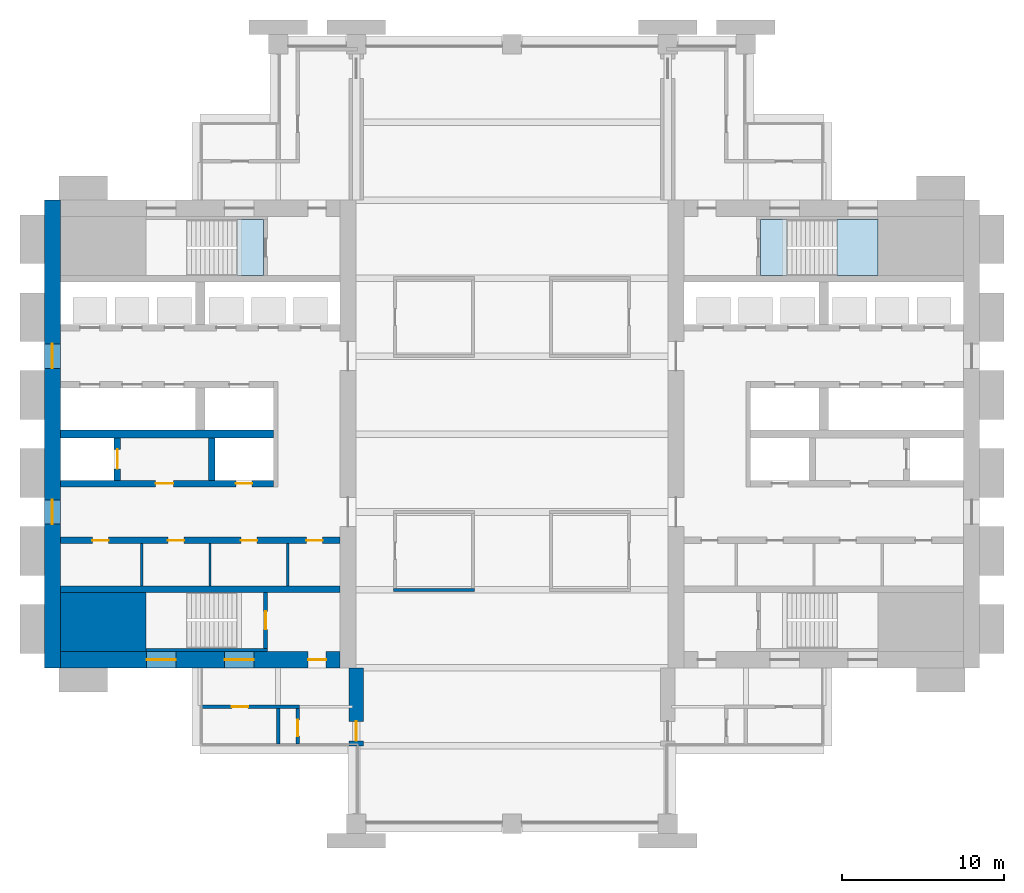
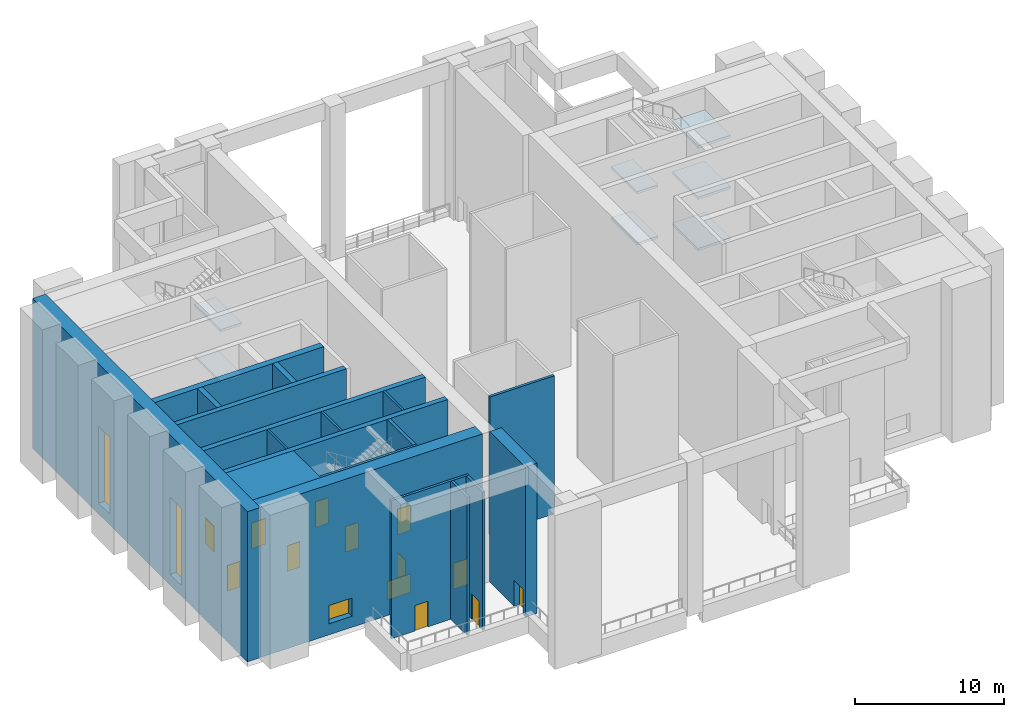
# One storey, part 2 of 9: 19 walls, 12 doors, 7 slabs, 4 windows, 16 openings, 2 elements without a shape of their own.
"""IFC4 building model written with IfcOpenShell, lengths in metres."""

from ifc_helpers import new_model, si_unit, direction, frame, frame_2d, origin, place, context, subcontext, project, spatial, polyline, rectangle, outline, extrude, material, layer, layer_set, type_object, element, fill, aggregate, save


model = new_model("IFC4")

# Units and contexts
model_context = context("Model", 3, precision=1e-05, world=origin(), true_north=direction((0.0, 1.0)))
body_context = subcontext(model_context, "Body", "Model", "MODEL_VIEW")
ifc_project = project(units=[si_unit("LENGTHUNIT", "METRE"), si_unit("AREAUNIT", "SQUARE_METRE"), si_unit("VOLUMEUNIT", "CUBIC_METRE"), si_unit("PLANEANGLEUNIT", "RADIAN"), si_unit("MASSUNIT", "GRAM", prefix="KILO")], contexts=[model_context])

# Site, building, storey
site_placement = place(None, origin())
site = spatial("IfcSite", under=ifc_project, at=site_placement, CompositionType="ELEMENT")
building_placement = place(site_placement, origin())
building = spatial("IfcBuilding", under=site, at=building_placement, Name="Baori Bourse Tower", CompositionType="ELEMENT")
storey_placement = place(building_placement, frame((0.0, 0.0, 180.60009765625)))
storey = spatial("IfcBuildingStorey", under=building, at=storey_placement, Name="L40", CompositionType="ELEMENT", Elevation=180.60009765625)

# Stair, slabs
ifc_material_1 = material(Name="Concrete f'c 50 MPa", Category="concrete")
stair_type = type_object("IfcStairType", Name="Core stair", PredefinedType="HALF_TURN_STAIR", material=ifc_material_1)
stair_1_placement = place(storey_placement, origin())
stair_1 = element("IfcStair", 1, at=stair_1_placement, inside=storey, type_object=stair_type, Name="L40 Stair WB", PredefinedType="HALF_TURN_STAIR")
ifc_material_2 = material(Name="Concrete f'c 50 MPa", Category="concrete")
slab_type = type_object("IfcSlabType", Name="Core stair landing", PredefinedType="LANDING", material=ifc_material_2)
slab_1_placement = place(storey_placement, frame((0.0, 0.0, 4.0)))
slab_1 = element("IfcSlab", 2, at=slab_1_placement, type_object=slab_type, Name="ST2 landing 2", PredefinedType="LANDING", context=body_context, shape_type="SweptSolid", body=[
    extrude(outline(polyline([(13.5, 37.199951171875), (11.85009765625, 37.199951171875), (11.85009765625, 33.75), (13.5, 33.75), (13.5, 37.199951171875)])), origin(), (0.0, 0.0, 1.0), 0.199951171875),
])
slab_2_placement = place(storey_placement, frame((0.0, 0.0, 8.199951171875)))
slab_2 = element("IfcSlab", 3, at=slab_2_placement, type_object=slab_type, Name="ST2 landing 4", PredefinedType="LANDING", context=body_context, shape_type="SweptSolid", body=[
    extrude(outline(polyline([(13.5, 37.199951171875), (11.85009765625, 37.199951171875), (11.85009765625, 33.75), (13.5, 33.75), (13.5, 37.199951171875)])), origin(), (0.0, 0.0, 1.0), 0.199951171875),
])
aggregate(stair_1, [slab_1, slab_2])

stair_2_placement = place(storey_placement, origin())
stair_2 = element("IfcStair", 4, at=stair_2_placement, inside=storey, type_object=stair_type, Name="L40 Stair EB", PredefinedType="HALF_TURN_STAIR")
slab_3_placement = place(storey_placement, frame((0.0, 0.0, 1.89990234375)))
slab_3 = element("IfcSlab", 5, at=slab_3_placement, type_object=slab_type, Name="ST4 landing 1", PredefinedType="LANDING", context=body_context, shape_type="SweptSolid", body=[
    extrude(outline(polyline([(48.830078125, 33.75), (51.35009765625, 33.75), (51.35009765625, 37.199951171875), (48.830078125, 37.199951171875), (48.830078125, 33.75)])), origin(), (0.0, 0.0, 1.0), 0.199951171875),
])
slab_4_placement = place(storey_placement, frame((0.0, 0.0, 4.0)))
slab_4 = element("IfcSlab", 6, at=slab_4_placement, type_object=slab_type, Name="ST4 landing 2", PredefinedType="LANDING", context=body_context, shape_type="SweptSolid", body=[
    extrude(outline(polyline([(44.10009765625, 33.75), (45.75, 33.75), (45.75, 37.199951171875), (44.10009765625, 37.199951171875), (44.10009765625, 33.75)])), origin(), (0.0, 0.0, 1.0), 0.199951171875),
])
slab_5_placement = place(storey_placement, frame((0.0, 0.0, 6.099853515625)))
slab_5 = element("IfcSlab", 7, at=slab_5_placement, type_object=slab_type, Name="ST4 landing 3", PredefinedType="LANDING", context=body_context, shape_type="SweptSolid", body=[
    extrude(outline(polyline([(48.830078125, 33.75), (51.35009765625, 33.75), (51.35009765625, 37.199951171875), (48.830078125, 37.199951171875), (48.830078125, 33.75)])), origin(), (0.0, 0.0, 1.0), 0.199951171875),
])
slab_6_placement = place(storey_placement, frame((0.0, 0.0, 8.199951171875)))
slab_6 = element("IfcSlab", 8, at=slab_6_placement, type_object=slab_type, Name="ST4 landing 4", PredefinedType="LANDING", context=body_context, shape_type="SweptSolid", body=[
    extrude(outline(polyline([(44.10009765625, 33.75), (45.75, 33.75), (45.75, 37.199951171875), (44.10009765625, 37.199951171875), (44.10009765625, 33.75)])), origin(), (0.0, 0.0, 1.0), 0.199951171875),
])
slab_7_placement = place(storey_placement, frame((0.0, 0.0, 10.2998046875)))
slab_7 = element("IfcSlab", 9, at=slab_7_placement, type_object=slab_type, Name="ST4 landing 5", PredefinedType="LANDING", context=body_context, shape_type="SweptSolid", body=[
    extrude(outline(polyline([(48.830078125, 33.75), (51.35009765625, 33.75), (51.35009765625, 37.199951171875), (48.830078125, 37.199951171875), (48.830078125, 33.75)])), origin(), (0.0, 0.0, 1.0), 0.2001953125),
])
aggregate(stair_2, [slab_3, slab_4, slab_5, slab_6, slab_7])

# Walls
ifc_material_3 = material(Name="Concrete f'c 60 MPa", Category="concrete")
wall_type_1 = type_object("IfcWallType", Name="Core corner block f'c 60", PredefinedType="SHEAR", material=ifc_material_3)
wall_1_placement = place(storey_placement, frame((1.0, 12.425048828125, 0.0), z_axis=(0.0, 0.0, 1.0), x_axis=(1.0, 0.0, 0.0)))
element("IfcWall", 10, at=wall_1_placement, inside=storey, type_object=wall_type_1, Name="Core wall W04", PredefinedType="SHEAR", context=body_context, shape_type="SweptSolid", body=[
    extrude(rectangle(XDim=5.25, YDim=3.64990234375, at=frame_2d((2.625, 0.0))), origin(), (0.0, 0.0, 1.0), 12.2998046875),
])
ifc_material_4 = material(Name="Blockwork partition", Category="masonry")
ifc_layer_1 = layer(ifc_material_4, 0.14990234375)
ifc_layer_set_1 = layer_set([ifc_layer_1], Name="Core partition 150")
wall_type_2 = type_object("IfcWallType", Name="Core partition 150", PredefinedType="PARTITIONING", material=ifc_layer_set_1)
for number, where, z_axis, x_axis, name in (
    (11, (6.0, 14.64990234375, 0.0), (0.0, 0.0, 1.0), (0.0, 1.0, 0.0), "Partition wall W08"),
    (12, (10.199951171875, 14.64990234375, 0.0), (0.0, 0.0, 1.0), (0.0, 1.0, 0.0), "Partition wall W09"),
    (13, (15.0, 14.64990234375, 0.0), (0.0, 0.0, 1.0), (0.0, 1.0, 0.0), "Partition wall W10"),
):
    element("IfcWall", number, at=place(storey_placement, frame(where, z_axis=z_axis, x_axis=x_axis)), inside=storey, type_object=wall_type_2, Name=name, PredefinedType="PARTITIONING", context=body_context, shape_type="SweptSolid", body=[
        extrude(rectangle(XDim=2.60009765625, YDim=0.14990234375, at=frame_2d((1.300048828125, 0.0))), origin(), (0.0, 0.0, 1.0), 12.2998046875),
    ])

# Wall, openings, windows
ifc_material_5 = material(Name="Concrete f'c 60 MPa", Category="concrete")
ifc_layer_2 = layer(ifc_material_5, 1.0)
ifc_layer_set_2 = layer_set([ifc_layer_2], Name="Core wall 1000 f'c 60")
wall_type_3 = type_object("IfcWallType", Name="Core wall 1000 f'c 60", PredefinedType="SHEAR", material=ifc_layer_set_2)
wall_2_placement = place(storey_placement, frame((0.5, 9.60009765625, 0.0), z_axis=(0.0, 0.0, 1.0), x_axis=(0.0, 1.0, 0.0)))
wall_2 = element("IfcWall", 14, at=wall_2_placement, inside=storey, type_object=wall_type_3, Name="Core wall W01", PredefinedType="SHEAR", context=body_context, shape_type="SweptSolid", body=[
    extrude(rectangle(XDim=28.7998046875, YDim=1.0, at=frame_2d((14.39990234375, 0.0))), origin(), (0.0, 0.0, 1.0), 12.2998046875),
])
opening_1_placement = place(wall_2_placement, frame((8.85009765625, 0.0, 0.89990234375)))
opening_1 = element("IfcOpeningElement", 15, at=opening_1_placement, cuts=wall_2, Name="Opening L40-KW101", PredefinedType="OPENING", context=body_context, shape_type="SweptSolid", body=[
    extrude(rectangle(XDim=1.5, YDim=6.300048828125, at=frame_2d((0.75, 3.14990234375))), frame((0.0, 0.510009765625, 0.0), z_axis=(0.0, -1.0, 0.0), x_axis=(1.0, 0.0, 0.0)), (0.0, 0.0, 1.0), 1.02001953125),
])
opening_2_placement = place(wall_2_placement, frame((18.449951171875, 0.0, 0.89990234375)))
opening_2 = element("IfcOpeningElement", 16, at=opening_2_placement, cuts=wall_2, Name="Opening L40-KW102", PredefinedType="OPENING", context=body_context, shape_type="SweptSolid", body=[
    extrude(rectangle(XDim=1.5, YDim=6.300048828125, at=frame_2d((0.75, 3.14990234375))), frame((0.0, 0.510009765625, 0.0), z_axis=(0.0, -1.0, 0.0), x_axis=(1.0, 0.0, 0.0)), (0.0, 0.0, 1.0), 1.02001953125),
])
ifc_material_6 = material(Name="Pale anodised aluminium", Category="aluminium")
window_type_1 = type_object("IfcWindowType", Name="Lobby window 1500 x 6300", PartitioningType="SINGLE_PANEL", PredefinedType="WINDOW", material=ifc_material_6)
window_1_placement = place(opening_1_placement, origin())
window_1 = element("IfcWindow", 17, at=window_1_placement, inside=storey, type_object=window_type_1, Name="Outer wall window W L40 1", OverallHeight=6.300048828125, OverallWidth=1.5, PartitioningType="SINGLE_PANEL", PredefinedType="WINDOW", context=body_context, shape_type="SweptSolid", body=[
    extrude(rectangle(XDim=1.5, YDim=6.300048828125, at=frame_2d((0.75, 3.14990234375))), frame((0.0, 0.030029296875, 0.0), z_axis=(0.0, -1.0, 0.0), x_axis=(1.0, 0.0, 0.0)), (0.0, 0.0, 1.0), 0.06005859375),
])
fill(opening_1, window_1)
window_2_placement = place(opening_2_placement, origin())
window_2 = element("IfcWindow", 18, at=window_2_placement, inside=storey, type_object=window_type_1, Name="Outer wall window W L40 2", OverallHeight=6.300048828125, OverallWidth=1.5, PartitioningType="SINGLE_PANEL", PredefinedType="WINDOW", context=body_context, shape_type="SweptSolid", body=[
    extrude(rectangle(XDim=1.5, YDim=6.300048828125, at=frame_2d((0.75, 3.14990234375))), frame((0.0, 0.030029296875, 0.0), z_axis=(0.0, -1.0, 0.0), x_axis=(1.0, 0.0, 0.0)), (0.0, 0.0, 1.0), 0.06005859375),
])
fill(opening_2, window_2)

# Wall, openings, door, windows
wall_3_placement = place(storey_placement, frame((18.199951171875, 10.10009765625, 0.0), z_axis=(0.0, 0.0, 1.0), x_axis=(-1.0, 0.0, 0.0)))
wall_3 = element("IfcWall", 19, at=wall_3_placement, inside=storey, type_object=wall_type_3, Name="Core wall W02", PredefinedType="SHEAR", context=body_context, shape_type="SweptSolid", body=[
    extrude(rectangle(XDim=17.199951171875, YDim=1.0, at=frame_2d((8.60009765625, 0.0))), origin(), (0.0, 0.0, 1.0), 12.2998046875),
])
opening_3_placement = place(wall_3_placement, frame((0.85009765625, 0.0, 0.0)))
opening_3 = element("IfcOpeningElement", 20, at=opening_3_placement, cuts=wall_3, Name="Opening L40-D102", PredefinedType="OPENING", context=body_context, shape_type="SweptSolid", body=[
    extrude(rectangle(XDim=1.10009765625, YDim=2.10009765625, at=frame_2d((0.550048828125, 1.050048828125))), frame((0.0, 0.510009765625, 0.0), z_axis=(0.0, -1.0, 0.0), x_axis=(1.0, 0.0, 0.0)), (0.0, 0.0, 1.0), 1.02001953125),
])
opening_4_placement = place(wall_3_placement, frame((10.10009765625, 0.0, 0.89990234375)))
opening_4 = element("IfcOpeningElement", 21, at=opening_4_placement, cuts=wall_3, Name="Opening L40-KW103", PredefinedType="OPENING", context=body_context, shape_type="SweptSolid", body=[
    extrude(rectangle(XDim=1.800048828125, YDim=1.5, at=frame_2d((0.89990234375, 0.75))), frame((0.0, 0.510009765625, 0.0), z_axis=(0.0, -1.0, 0.0), x_axis=(1.0, 0.0, 0.0)), (0.0, 0.0, 1.0), 1.02001953125),
])
opening_5_placement = place(wall_3_placement, frame((5.300048828125, 0.0, 0.89990234375)))
opening_5 = element("IfcOpeningElement", 22, at=opening_5_placement, cuts=wall_3, Name="Opening L40-KW104", PredefinedType="OPENING", context=body_context, shape_type="SweptSolid", body=[
    extrude(rectangle(XDim=1.800048828125, YDim=1.5, at=frame_2d((0.89990234375, 0.75))), frame((0.0, 0.510009765625, 0.0), z_axis=(0.0, -1.0, 0.0), x_axis=(1.0, 0.0, 0.0)), (0.0, 0.0, 1.0), 1.02001953125),
])
ifc_material_7 = material(Name="Painted steel door", Category="steel")
door_type_1 = type_object("IfcDoorType", Name="Stair door 1100", OperationType="SINGLE_SWING_LEFT", PredefinedType="DOOR", material=ifc_material_7)
door_1_placement = place(opening_3_placement, origin())
door_1 = element("IfcDoor", 23, at=door_1_placement, inside=storey, type_object=door_type_1, Name="Stair vestibule door A W L40", OperationType="SINGLE_SWING_LEFT", OverallHeight=2.10009765625, OverallWidth=1.10009765625, PredefinedType="DOOR", context=body_context, shape_type="SweptSolid", body=[
    extrude(rectangle(XDim=1.10009765625, YDim=2.10009765625, at=frame_2d((0.550048828125, 1.050048828125))), frame((0.0, 0.02490234375, 0.0), z_axis=(0.0, -1.0, 0.0), x_axis=(1.0, 0.0, 0.0)), (0.0, 0.0, 1.0), 0.050048828125),
])
fill(opening_3, door_1)
ifc_material_8 = material(Name="Pale anodised aluminium", Category="aluminium")
window_type_2 = type_object("IfcWindowType", Name="Stair window 1800 x 1500", PartitioningType="SINGLE_PANEL", PredefinedType="WINDOW", material=ifc_material_8)
window_3_placement = place(opening_4_placement, origin())
window_3 = element("IfcWindow", 24, at=window_3_placement, inside=storey, type_object=window_type_2, Name="Stair window W L40 3", OverallHeight=1.5, OverallWidth=1.800048828125, PartitioningType="SINGLE_PANEL", PredefinedType="WINDOW", context=body_context, shape_type="SweptSolid", body=[
    extrude(rectangle(XDim=1.800048828125, YDim=1.5, at=frame_2d((0.89990234375, 0.75))), frame((0.0, 0.030029296875, 0.0), z_axis=(0.0, -1.0, 0.0), x_axis=(1.0, 0.0, 0.0)), (0.0, 0.0, 1.0), 0.06005859375),
])
fill(opening_4, window_3)
window_4_placement = place(opening_5_placement, origin())
window_4 = element("IfcWindow", 25, at=window_4_placement, inside=storey, type_object=window_type_2, Name="Stair window W L40 4", OverallHeight=1.5, OverallWidth=1.800048828125, PartitioningType="SINGLE_PANEL", PredefinedType="WINDOW", context=body_context, shape_type="SweptSolid", body=[
    extrude(rectangle(XDim=1.800048828125, YDim=1.5, at=frame_2d((0.89990234375, 0.75))), frame((0.0, 0.030029296875, 0.0), z_axis=(0.0, -1.0, 0.0), x_axis=(1.0, 0.0, 0.0)), (0.0, 0.0, 1.0), 0.06005859375),
])
fill(opening_5, window_4)

# Wall, opening, door
ifc_material_9 = material(Name="Concrete f'c 60 MPa", Category="concrete")
ifc_layer_3 = layer(ifc_material_9, 0.89990234375)
ifc_layer_set_3 = layer_set([ifc_layer_3], Name="Outrigger wall 900 60")
wall_type_4 = type_object("IfcWallType", Name="Outrigger wall 900 60", PredefinedType="SHEAR", material=ifc_layer_set_3)
wall_4_placement = place(storey_placement, frame((19.199951171875, 4.800048828125, 0.0), z_axis=(0.0, 0.0, 1.0), x_axis=(0.0, 1.0, 0.0)))
wall_4 = element("IfcWall", 26, at=wall_4_placement, inside=storey, type_object=wall_type_4, Name="Outrigger wall L40", PredefinedType="SHEAR", context=body_context, shape_type="SweptSolid", body=[
    extrude(rectangle(XDim=4.800048828125, YDim=0.89990234375, at=frame_2d((2.39990234375, 0.0))), origin(), (0.0, 0.0, 1.0), 12.2998046875),
])
opening_6_placement = place(wall_4_placement, frame((0.300048828125, 0.0, 0.0)))
opening_6 = element("IfcOpeningElement", 27, at=opening_6_placement, cuts=wall_4, Name="Opening L40-D13", PredefinedType="OPENING", context=body_context, shape_type="SweptSolid", body=[
    extrude(rectangle(XDim=1.199951171875, YDim=2.10009765625, at=frame_2d((0.60009765625, 1.050048828125))), frame((0.0, 0.4599609375, 0.0), z_axis=(0.0, -1.0, 0.0), x_axis=(1.0, 0.0, 0.0)), (0.0, 0.0, 1.0), 0.919921875),
])
ifc_material_10 = material(Name="Timber door leaf", Category="wood")
door_type_2 = type_object("IfcDoorType", Name="Door 1200 x 2100", OperationType="SINGLE_SWING_LEFT", PredefinedType="DOOR", material=ifc_material_10)
door_2_placement = place(opening_6_placement, origin())
door_2 = element("IfcDoor", 28, at=door_2_placement, inside=storey, type_object=door_type_2, Name="Door", OperationType="SINGLE_SWING_LEFT", OverallHeight=2.10009765625, OverallWidth=1.199951171875, PredefinedType="DOOR", context=body_context, shape_type="SweptSolid", body=[
    extrude(rectangle(XDim=1.199951171875, YDim=2.10009765625, at=frame_2d((0.60009765625, 1.050048828125))), frame((0.0, 0.02490234375, 0.0), z_axis=(0.0, -1.0, 0.0), x_axis=(1.0, 0.0, 0.0)), (0.0, 0.0, 1.0), 0.050048828125),
])
fill(opening_6, door_2)

ifc_material_11 = material(Name="Gypsum board partition")
ifc_layer_4 = layer(ifc_material_11, 0.199951171875)
ifc_layer_set_4 = layer_set([ifc_layer_4], Name="Plant room wall 200")
wall_type_5 = type_object("IfcWallType", Name="Plant room wall 200", PredefinedType="PARTITIONING", material=ifc_layer_set_4)
wall_5_placement = place(storey_placement, frame((9.699951171875, 7.199951171875, 0.0), z_axis=(0.0, 0.0, 1.0), x_axis=(1.0, 0.0, 0.0)))
wall_5 = element("IfcWall", 29, at=wall_5_placement, inside=storey, type_object=wall_type_5, Name="Partition", PredefinedType="PARTITIONING", context=body_context, shape_type="SweptSolid", body=[
    extrude(rectangle(XDim=6.0, YDim=0.199951171875, at=frame_2d((3.0, 0.0))), origin(), (0.0, 0.0, 1.0), 11.309326171875),
])
opening_7_placement = place(wall_5_placement, frame((1.85009765625, 0.0, 0.0)))
opening_7 = element("IfcOpeningElement", 30, at=opening_7_placement, cuts=wall_5, Name="Opening L40-D01", PredefinedType="OPENING", context=body_context, shape_type="SweptSolid", body=[
    extrude(rectangle(XDim=1.0, YDim=2.10009765625, at=frame_2d((0.5, 1.050048828125))), frame((0.0, 0.10986328125, 0.0), z_axis=(0.0, -1.0, 0.0), x_axis=(1.0, 0.0, 0.0)), (0.0, 0.0, 1.0), 0.219970703125),
])
ifc_material_12 = material(Name="Timber door leaf", Category="wood")
door_type_3 = type_object("IfcDoorType", Name="Door 1000 x 2100", OperationType="SINGLE_SWING_LEFT", PredefinedType="DOOR", material=ifc_material_12)
door_3_placement = place(opening_7_placement, origin())
door_3 = element("IfcDoor", 31, at=door_3_placement, inside=storey, type_object=door_type_3, Name="Door", OperationType="SINGLE_SWING_LEFT", OverallHeight=2.10009765625, OverallWidth=1.0, PredefinedType="DOOR", context=body_context, shape_type="SweptSolid", body=[
    extrude(rectangle(XDim=1.0, YDim=2.10009765625, at=frame_2d((0.5, 1.050048828125))), frame((0.0, 0.02490234375, 0.0), z_axis=(0.0, -1.0, 0.0), x_axis=(1.0, 0.0, 0.0)), (0.0, 0.0, 1.0), 0.050048828125),
])
fill(opening_7, door_3)

# Walls
wall_6_placement = place(storey_placement, frame((21.5, 14.39990234375, 0.0), z_axis=(0.0, 0.0, 1.0), x_axis=(1.0, 0.0, 0.0)))
element("IfcWall", 32, at=wall_6_placement, inside=storey, type_object=wall_type_5, Name="Partition", PredefinedType="PARTITIONING", context=body_context, shape_type="SweptSolid", body=[
    extrude(rectangle(XDim=5.0, YDim=0.199951171875, at=frame_2d((2.5, 0.0))), origin(), (0.0, 0.0, 1.0), 11.309326171875),
])
wall_7_placement = place(storey_placement, frame((14.39990234375, 4.89990234375, 0.0), z_axis=(0.0, 0.0, 1.0), x_axis=(0.0, 1.0, 0.0)))
element("IfcWall", 33, at=wall_7_placement, inside=storey, type_object=wall_type_5, Name="Partition", PredefinedType="PARTITIONING", context=body_context, shape_type="SweptSolid", body=[
    extrude(rectangle(XDim=2.2001953125, YDim=0.199951171875, at=frame_2d((1.10009765625, 0.0))), origin(), (0.0, 0.0, 1.0), 11.309326171875),
])

# Wall, opening, door
wall_8_placement = place(storey_placement, frame((15.60009765625, 4.89990234375, 0.0), z_axis=(0.0, 0.0, 1.0), x_axis=(0.0, 1.0, 0.0)))
wall_8 = element("IfcWall", 34, at=wall_8_placement, inside=storey, type_object=wall_type_5, Name="Partition", PredefinedType="PARTITIONING", context=body_context, shape_type="SweptSolid", body=[
    extrude(rectangle(XDim=2.2001953125, YDim=0.199951171875, at=frame_2d((1.10009765625, 0.0))), origin(), (0.0, 0.0, 1.0), 11.309326171875),
])
opening_8_placement = place(wall_8_placement, frame((0.5, 0.0, 0.0)))
opening_8 = element("IfcOpeningElement", 35, at=opening_8_placement, cuts=wall_8, Name="Opening L40-D05", PredefinedType="OPENING", context=body_context, shape_type="SweptSolid", body=[
    extrude(rectangle(XDim=1.0, YDim=2.10009765625, at=frame_2d((0.5, 1.050048828125))), frame((0.0, 0.10986328125, 0.0), z_axis=(0.0, -1.0, 0.0), x_axis=(1.0, 0.0, 0.0)), (0.0, 0.0, 1.0), 0.219970703125),
])
door_4_placement = place(opening_8_placement, origin())
door_4 = element("IfcDoor", 36, at=door_4_placement, inside=storey, type_object=door_type_3, Name="Door", OperationType="SINGLE_SWING_RIGHT", OverallHeight=2.10009765625, OverallWidth=1.0, PredefinedType="DOOR", context=body_context, shape_type="SweptSolid", body=[
    extrude(rectangle(XDim=1.0, YDim=2.10009765625, at=frame_2d((0.5, 1.050048828125))), frame((0.0, 0.02490234375, 0.0), z_axis=(0.0, -1.0, 0.0), x_axis=(1.0, 0.0, 0.0)), (0.0, 0.0, 1.0), 0.050048828125),
])
fill(opening_8, door_4)

# Wall
ifc_material_13 = material(Name="Concrete f'c 60 MPa", Category="concrete")
ifc_layer_5 = layer(ifc_material_13, 0.199951171875)
ifc_layer_set_5 = layer_set([ifc_layer_5], Name="Shaft wall 200 f'c 60")
wall_type_6 = type_object("IfcWallType", Name="Shaft wall 200 f'c 60", PredefinedType="SHEAR", material=ifc_layer_set_5)
wall_9_placement = place(storey_placement, frame((6.25, 10.699951171875, 0.0), z_axis=(0.0, 0.0, 1.0), x_axis=(1.0, 0.0, 0.0)))
element("IfcWall", 37, at=wall_9_placement, inside=storey, type_object=wall_type_6, Name="Core wall W05", PredefinedType="SHEAR", context=body_context, shape_type="SweptSolid", body=[
    extrude(rectangle(XDim=7.5, YDim=0.199951171875, at=frame_2d((3.75, 0.0))), origin(), (0.0, 0.0, 1.0), 12.2998046875),
])

# Wall, opening, door
ifc_material_14 = material(Name="Concrete f'c 60 MPa", Category="concrete")
ifc_layer_6 = layer(ifc_material_14, 0.25)
ifc_layer_set_6 = layer_set([ifc_layer_6], Name="Shaft wall 250 f'c 60")
wall_type_7 = type_object("IfcWallType", Name="Shaft wall 250 f'c 60", PredefinedType="SHEAR", material=ifc_layer_set_6)
wall_10_placement = place(storey_placement, frame((13.625, 10.800048828125, 0.0), z_axis=(0.0, 0.0, 1.0), x_axis=(0.0, 1.0, 0.0)))
wall_10 = element("IfcWall", 38, at=wall_10_placement, inside=storey, type_object=wall_type_7, Name="Core wall W06", PredefinedType="SHEAR", context=body_context, shape_type="SweptSolid", body=[
    extrude(rectangle(XDim=3.449951171875, YDim=0.25, at=frame_2d((1.72509765625, 0.0))), origin(), (0.0, 0.0, 1.0), 12.2998046875),
])
opening_9_placement = place(wall_10_placement, frame((1.175048828125, 0.0, 0.0)))
opening_9 = element("IfcOpeningElement", 39, at=opening_9_placement, cuts=wall_10, Name="Opening L40-D101", PredefinedType="OPENING", context=body_context, shape_type="SweptSolid", body=[
    extrude(rectangle(XDim=1.10009765625, YDim=2.10009765625, at=frame_2d((0.550048828125, 1.050048828125))), frame((0.0, 0.135009765625, 0.0), z_axis=(0.0, -1.0, 0.0), x_axis=(1.0, 0.0, 0.0)), (0.0, 0.0, 1.0), 0.27001953125),
])
door_5_placement = place(opening_9_placement, origin())
door_5 = element("IfcDoor", 40, at=door_5_placement, inside=storey, type_object=door_type_1, Name="Stair door A W L40", OperationType="SINGLE_SWING_LEFT", OverallHeight=2.10009765625, OverallWidth=1.10009765625, PredefinedType="DOOR", context=body_context, shape_type="SweptSolid", body=[
    extrude(rectangle(XDim=1.10009765625, YDim=2.10009765625, at=frame_2d((0.550048828125, 1.050048828125))), frame((0.0, 0.02490234375, 0.0), z_axis=(0.0, -1.0, 0.0), x_axis=(1.0, 0.0, 0.0)), (0.0, 0.0, 1.0), 0.050048828125),
])
fill(opening_9, door_5)

# Wall
ifc_material_15 = material(Name="Concrete f'c 60 MPa", Category="concrete")
ifc_layer_7 = layer(ifc_material_15, 0.39990234375)
ifc_layer_set_7 = layer_set([ifc_layer_7], Name="Shaft wall 400 f'c 60")
wall_type_8 = type_object("IfcWallType", Name="Shaft wall 400 f'c 60", PredefinedType="SHEAR", material=ifc_layer_set_7)
wall_11_placement = place(storey_placement, frame((1.0, 14.449951171875, 0.0), z_axis=(0.0, 0.0, 1.0), x_axis=(1.0, 0.0, 0.0)))
element("IfcWall", 41, at=wall_11_placement, inside=storey, type_object=wall_type_8, Name="Core wall W07", PredefinedType="SHEAR", context=body_context, shape_type="SweptSolid", body=[
    extrude(rectangle(XDim=17.199951171875, YDim=0.39990234375, at=frame_2d((8.60009765625, 0.0))), origin(), (0.0, 0.0, 1.0), 12.2998046875),
])

# Wall, openings, doors
wall_12_placement = place(storey_placement, frame((1.0, 17.449951171875, 0.0), z_axis=(0.0, 0.0, 1.0), x_axis=(1.0, 0.0, 0.0)))
wall_12 = element("IfcWall", 42, at=wall_12_placement, inside=storey, type_object=wall_type_8, Name="Core wall W11", PredefinedType="SHEAR", context=body_context, shape_type="SweptSolid", body=[
    extrude(rectangle(XDim=17.199951171875, YDim=0.39990234375, at=frame_2d((8.60009765625, 0.0))), origin(), (0.0, 0.0, 1.0), 12.2998046875),
])
opening_10_placement = place(wall_12_placement, frame((1.96240234375, 0.0, 0.0)))
opening_10 = element("IfcOpeningElement", 43, at=opening_10_placement, cuts=wall_12, Name="Opening L40-D109", PredefinedType="OPENING", context=body_context, shape_type="SweptSolid", body=[
    extrude(rectangle(XDim=1.0, YDim=2.10009765625, at=frame_2d((0.5, 1.050048828125))), frame((0.0, 0.2099609375, 0.0), z_axis=(0.0, -1.0, 0.0), x_axis=(1.0, 0.0, 0.0)), (0.0, 0.0, 1.0), 0.419921875),
])
opening_11_placement = place(wall_12_placement, frame((6.60009765625, 0.0, 0.0)))
opening_11 = element("IfcOpeningElement", 44, at=opening_11_placement, cuts=wall_12, Name="Opening L40-D110", PredefinedType="OPENING", context=body_context, shape_type="SweptSolid", body=[
    extrude(rectangle(XDim=1.0, YDim=2.10009765625, at=frame_2d((0.5, 1.050048828125))), frame((0.0, 0.2099609375, 0.0), z_axis=(0.0, -1.0, 0.0), x_axis=(1.0, 0.0, 0.0)), (0.0, 0.0, 1.0), 0.419921875),
])
opening_12_placement = place(wall_12_placement, frame((11.10009765625, 0.0, 0.0)))
opening_12 = element("IfcOpeningElement", 45, at=opening_12_placement, cuts=wall_12, Name="Opening L40-D111", PredefinedType="OPENING", context=body_context, shape_type="SweptSolid", body=[
    extrude(rectangle(XDim=1.0, YDim=2.10009765625, at=frame_2d((0.5, 1.050048828125))), frame((0.0, 0.2099609375, 0.0), z_axis=(0.0, -1.0, 0.0), x_axis=(1.0, 0.0, 0.0)), (0.0, 0.0, 1.0), 0.419921875),
])
opening_13_placement = place(wall_12_placement, frame((15.137451171875, 0.0, 0.0)))
opening_13 = element("IfcOpeningElement", 46, at=opening_13_placement, cuts=wall_12, Name="Opening L40-D112", PredefinedType="OPENING", context=body_context, shape_type="SweptSolid", body=[
    extrude(rectangle(XDim=1.0, YDim=2.10009765625, at=frame_2d((0.5, 1.050048828125))), frame((0.0, 0.2099609375, 0.0), z_axis=(0.0, -1.0, 0.0), x_axis=(1.0, 0.0, 0.0)), (0.0, 0.0, 1.0), 0.419921875),
])
ifc_material_16 = material(Name="Painted steel door", Category="steel")
door_type_4 = type_object("IfcDoorType", Name="Core door 1000", OperationType="SINGLE_SWING_LEFT", PredefinedType="DOOR", material=ifc_material_16)
door_6_placement = place(opening_10_placement, origin())
door_6 = element("IfcDoor", 47, at=door_6_placement, inside=storey, type_object=door_type_4, Name="Men'S Wc door W L40", OperationType="SINGLE_SWING_LEFT", OverallHeight=2.10009765625, OverallWidth=1.0, PredefinedType="DOOR", context=body_context, shape_type="SweptSolid", body=[
    extrude(rectangle(XDim=1.0, YDim=2.10009765625, at=frame_2d((0.5, 1.050048828125))), frame((0.0, 0.02490234375, 0.0), z_axis=(0.0, -1.0, 0.0), x_axis=(1.0, 0.0, 0.0)), (0.0, 0.0, 1.0), 0.050048828125),
])
fill(opening_10, door_6)
door_7_placement = place(opening_11_placement, origin())
door_7 = element("IfcDoor", 48, at=door_7_placement, inside=storey, type_object=door_type_4, Name="Accessible Wc door W L40", OperationType="SINGLE_SWING_LEFT", OverallHeight=2.10009765625, OverallWidth=1.0, PredefinedType="DOOR", context=body_context, shape_type="SweptSolid", body=[
    extrude(rectangle(XDim=1.0, YDim=2.10009765625, at=frame_2d((0.5, 1.050048828125))), frame((0.0, 0.02490234375, 0.0), z_axis=(0.0, -1.0, 0.0), x_axis=(1.0, 0.0, 0.0)), (0.0, 0.0, 1.0), 0.050048828125),
])
fill(opening_11, door_7)
door_8_placement = place(opening_12_placement, origin())
door_8 = element("IfcDoor", 49, at=door_8_placement, inside=storey, type_object=door_type_4, Name="Women'S Wc door W L40", OperationType="SINGLE_SWING_LEFT", OverallHeight=2.10009765625, OverallWidth=1.0, PredefinedType="DOOR", context=body_context, shape_type="SweptSolid", body=[
    extrude(rectangle(XDim=1.0, YDim=2.10009765625, at=frame_2d((0.5, 1.050048828125))), frame((0.0, 0.02490234375, 0.0), z_axis=(0.0, -1.0, 0.0), x_axis=(1.0, 0.0, 0.0)), (0.0, 0.0, 1.0), 0.050048828125),
])
fill(opening_12, door_8)
ifc_material_17 = material(Name="Painted steel door", Category="steel")
door_type_5 = type_object("IfcDoorType", Name="Plant room door 1000", OperationType="SINGLE_SWING_LEFT", PredefinedType="DOOR", material=ifc_material_17)
door_9_placement = place(opening_13_placement, origin())
door_9 = element("IfcDoor", 50, at=door_9_placement, inside=storey, type_object=door_type_5, Name="Plumbing Equipment Room door W L40", OperationType="SINGLE_SWING_LEFT", OverallHeight=2.10009765625, OverallWidth=1.0, PredefinedType="DOOR", context=body_context, shape_type="SweptSolid", body=[
    extrude(rectangle(XDim=1.0, YDim=2.10009765625, at=frame_2d((0.5, 1.050048828125))), frame((0.0, 0.02490234375, 0.0), z_axis=(0.0, -1.0, 0.0), x_axis=(1.0, 0.0, 0.0)), (0.0, 0.0, 1.0), 0.050048828125),
])
fill(opening_13, door_9)

wall_13_placement = place(storey_placement, frame((1.0, 20.949951171875, 0.0), z_axis=(0.0, 0.0, 1.0), x_axis=(1.0, 0.0, 0.0)))
wall_13 = element("IfcWall", 51, at=wall_13_placement, inside=storey, type_object=wall_type_8, Name="Core wall W12", PredefinedType="SHEAR", context=body_context, shape_type="SweptSolid", body=[
    extrude(rectangle(XDim=13.10009765625, YDim=0.39990234375, at=frame_2d((6.550048828125, 0.0))), origin(), (0.0, 0.0, 1.0), 12.2998046875),
])
opening_14_placement = place(wall_13_placement, frame((5.85009765625, 0.0, 0.0)))
opening_14 = element("IfcOpeningElement", 52, at=opening_14_placement, cuts=wall_13, Name="Opening L40-D105", PredefinedType="OPENING", context=body_context, shape_type="SweptSolid", body=[
    extrude(rectangle(XDim=1.10009765625, YDim=2.10009765625, at=frame_2d((0.550048828125, 1.050048828125))), frame((0.0, 0.2099609375, 0.0), z_axis=(0.0, -1.0, 0.0), x_axis=(1.0, 0.0, 0.0)), (0.0, 0.0, 1.0), 0.419921875),
])
opening_15_placement = place(wall_13_placement, frame((10.800048828125, 0.0, 0.0)))
opening_15 = element("IfcOpeningElement", 53, at=opening_15_placement, cuts=wall_13, Name="Opening L40-D106", PredefinedType="OPENING", context=body_context, shape_type="SweptSolid", body=[
    extrude(rectangle(XDim=1.0, YDim=2.10009765625, at=frame_2d((0.5, 1.050048828125))), frame((0.0, 0.2099609375, 0.0), z_axis=(0.0, -1.0, 0.0), x_axis=(1.0, 0.0, 0.0)), (0.0, 0.0, 1.0), 0.419921875),
])
ifc_material_18 = material(Name="Painted steel door", Category="steel")
door_type_6 = type_object("IfcDoorType", Name="Lobby door 1100", OperationType="SINGLE_SWING_LEFT", PredefinedType="DOOR", material=ifc_material_18)
door_10_placement = place(opening_14_placement, origin())
door_10 = element("IfcDoor", 54, at=door_10_placement, inside=storey, type_object=door_type_6, Name="Firefighting lobby door W L40", OperationType="SINGLE_SWING_LEFT", OverallHeight=2.10009765625, OverallWidth=1.10009765625, PredefinedType="DOOR", context=body_context, shape_type="SweptSolid", body=[
    extrude(rectangle(XDim=1.10009765625, YDim=2.10009765625, at=frame_2d((0.550048828125, 1.050048828125))), frame((0.0, 0.02490234375, 0.0), z_axis=(0.0, -1.0, 0.0), x_axis=(1.0, 0.0, 0.0)), (0.0, 0.0, 1.0), 0.050048828125),
])
fill(opening_14, door_10)
ifc_material_19 = material(Name="Painted steel door", Category="steel")
door_type_7 = type_object("IfcDoorType", Name="Shaft door 1000", OperationType="SINGLE_SWING_LEFT", PredefinedType="DOOR", material=ifc_material_19)
door_11_placement = place(opening_15_placement, origin())
door_11 = element("IfcDoor", 55, at=door_11_placement, inside=storey, type_object=door_type_7, Name="Riser room door W L40", OperationType="SINGLE_SWING_LEFT", OverallHeight=2.10009765625, OverallWidth=1.0, PredefinedType="DOOR", context=body_context, shape_type="SweptSolid", body=[
    extrude(rectangle(XDim=1.0, YDim=2.10009765625, at=frame_2d((0.5, 1.050048828125))), frame((0.0, 0.02490234375, 0.0), z_axis=(0.0, -1.0, 0.0), x_axis=(1.0, 0.0, 0.0)), (0.0, 0.0, 1.0), 0.050048828125),
])
fill(opening_15, door_11)

# Wall, opening, door
wall_14_placement = place(storey_placement, frame((4.5, 21.14990234375, 0.0), z_axis=(0.0, 0.0, 1.0), x_axis=(0.0, 1.0, 0.0)))
wall_14 = element("IfcWall", 56, at=wall_14_placement, inside=storey, type_object=wall_type_8, Name="Core wall W14", PredefinedType="SHEAR", context=body_context, shape_type="SweptSolid", body=[
    extrude(rectangle(XDim=2.60009765625, YDim=0.39990234375, at=frame_2d((1.300048828125, 0.0))), origin(), (0.0, 0.0, 1.0), 12.2998046875),
])
opening_16_placement = place(wall_14_placement, frame((0.699951171875, 0.0, 0.0)))
opening_16 = element("IfcOpeningElement", 57, at=opening_16_placement, cuts=wall_14, Name="Opening L40-D123", PredefinedType="OPENING", context=body_context, shape_type="SweptSolid", body=[
    extrude(rectangle(XDim=1.199951171875, YDim=2.10009765625, at=frame_2d((0.60009765625, 1.050048828125))), frame((0.0, 0.2099609375, 0.0), z_axis=(0.0, -1.0, 0.0), x_axis=(1.0, 0.0, 0.0)), (0.0, 0.0, 1.0), 0.419921875),
])
ifc_material_20 = material(Name="Stainless steel door", Category="steel")
door_type_8 = type_object("IfcDoorType", Name="Lift landing door", OperationType="DOUBLE_DOOR_SLIDING", PredefinedType="DOOR", material=ifc_material_20)
door_12_placement = place(opening_16_placement, origin())
door_12 = element("IfcDoor", 58, at=door_12_placement, inside=storey, type_object=door_type_8, Name="Lift landing door FF1 W L40", OperationType="DOUBLE_DOOR_SLIDING", OverallHeight=2.10009765625, OverallWidth=1.199951171875, PredefinedType="DOOR", context=body_context, shape_type="SweptSolid", body=[
    extrude(rectangle(XDim=1.199951171875, YDim=2.10009765625, at=frame_2d((0.60009765625, 1.050048828125))), frame((0.0, 0.02490234375, 0.0), z_axis=(0.0, -1.0, 0.0), x_axis=(1.0, 0.0, 0.0)), (0.0, 0.0, 1.0), 0.050048828125),
])
fill(opening_16, door_12)

# Walls
wall_15_placement = place(storey_placement, frame((10.300048828125, 21.14990234375, 0.0), z_axis=(0.0, 0.0, 1.0), x_axis=(0.0, 1.0, 0.0)))
element("IfcWall", 59, at=wall_15_placement, inside=storey, type_object=wall_type_8, Name="Core wall W15", PredefinedType="SHEAR", context=body_context, shape_type="SweptSolid", body=[
    extrude(rectangle(XDim=2.60009765625, YDim=0.39990234375, at=frame_2d((1.300048828125, 0.0))), origin(), (0.0, 0.0, 1.0), 12.2998046875),
])
ifc_material_21 = material(Name="Concrete f'c 60 MPa", Category="concrete")
ifc_layer_8 = layer(ifc_material_21, 0.5)
ifc_layer_set_8 = layer_set([ifc_layer_8], Name="Shaft wall 500 f'c 60")
wall_type_9 = type_object("IfcWallType", Name="Shaft wall 500 f'c 60", PredefinedType="SHEAR", material=ifc_layer_set_8)
wall_16_placement = place(storey_placement, frame((1.0, 24.0, 0.0), z_axis=(0.0, 0.0, 1.0), x_axis=(1.0, 0.0, 0.0)))
element("IfcWall", 60, at=wall_16_placement, inside=storey, type_object=wall_type_9, Name="Core wall W16", PredefinedType="SHEAR", context=body_context, shape_type="SweptSolid", body=[
    extrude(rectangle(XDim=13.10009765625, YDim=0.5, at=frame_2d((6.550048828125, 0.0))), origin(), (0.0, 0.0, 1.0), 12.2998046875),
])

save(model, "model.ifc")
